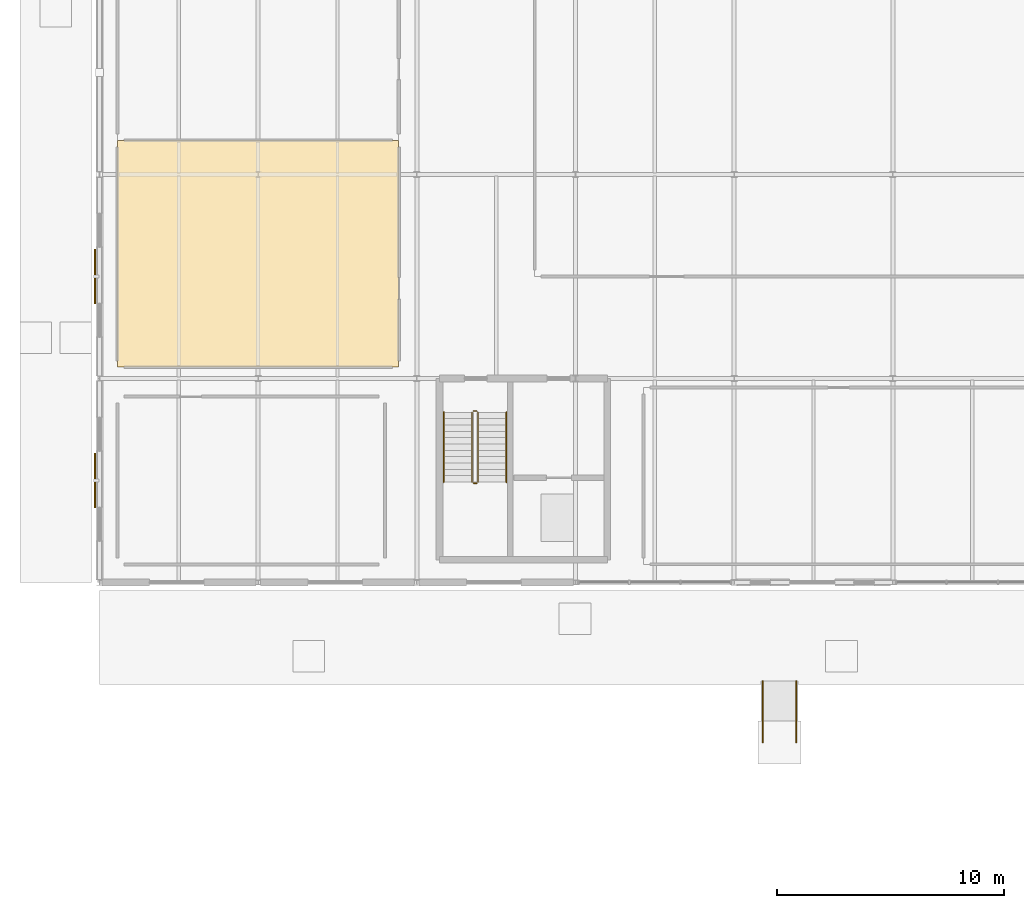
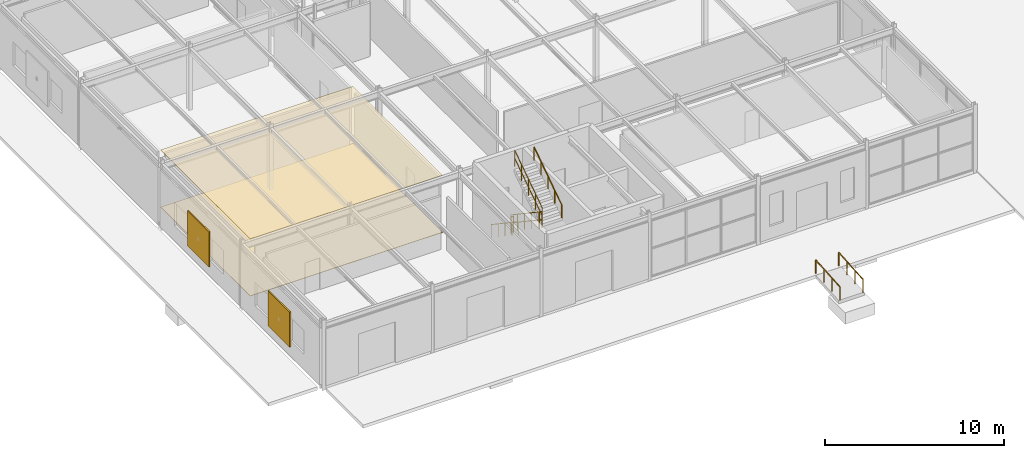
# One storey, part 103 of 119: 8 railings, 2 coverings, 2 shading devices.
"""IFC4 building model written with IfcOpenShell, lengths in metres."""

from ifc_helpers import new_model, si_unit, derived_unit, direction, frame, origin, origin_2d_with_axis, place, context, subcontext, project, spatial, polyline, rectangle, circle, outline, extrude, material, layer, layer_set, type_object, element, save


model = new_model("IFC4")

# Units and contexts
model_context = context("Model", 3, precision=1e-05, world=origin(), true_north=direction((0.0, 1.0)))
body_context = subcontext(model_context, "Body", "Model", "MODEL_VIEW")
ifc_project = project(units=[si_unit("LENGTHUNIT", "METRE"), si_unit("AREAUNIT", "SQUARE_METRE"), si_unit("VOLUMEUNIT", "CUBIC_METRE"), si_unit("PLANEANGLEUNIT", "RADIAN"), si_unit("MASSUNIT", "GRAM", prefix="KILO"), derived_unit("THERMALTRANSMITTANCEUNIT", [(si_unit("POWERUNIT", "WATT"), 1), (si_unit("LENGTHUNIT", "METRE"), -2), (si_unit("THERMODYNAMICTEMPERATUREUNIT", "KELVIN"), -1)])], contexts=[model_context])

# Site, building, storey
site_placement = place(None, origin())
site = spatial("IfcSite", under=ifc_project, at=site_placement, CompositionType="ELEMENT")
building_placement = place(site_placement, origin())
building = spatial("IfcBuilding", under=site, at=building_placement, Name="Cinnabar Yard Market Hall", CompositionType="ELEMENT")
storey_placement = place(building_placement, origin())
storey = spatial("IfcBuildingStorey", under=building, at=storey_placement, Name="L00", CompositionType="ELEMENT", Elevation=0.0)

# Coverings
ifc_material_1 = material(Name="Hygienic washable aluminium kitchen ceiling", Category="aluminium")
ifc_layer_1 = layer(ifc_material_1, 0.030029296875)
ifc_layer_set_1 = layer_set([ifc_layer_1], Name="Hygienic washable aluminium kitchen ceiling")
covering_type_1 = type_object("IfcCoveringType", Name="COV-CLG2", PredefinedType="CEILING", material=ifc_layer_set_1)
covering_1_placement = place(storey_placement, frame((0.0, 0.0, 3.8798828125)))
element("IfcCovering", 1, at=covering_1_placement, inside=storey, type_object=covering_type_1, Name="Ceiling Commercial Kitchen West 01", PredefinedType="CEILING", context=body_context, shape_type="SweptSolid", body=[
    extrude(outline(polyline([(10.800048828125, 57.5), (23.199951171875, 57.5), (23.199951171875, 67.5), (10.800048828125, 67.5), (10.800048828125, 57.5)])), origin(), (0.0, 0.0, 1.0), 0.03515625),
])
ifc_material_2 = material(Name="Slip-resistant commercial quarry tile")
ifc_layer_2 = layer(ifc_material_2, 0.02490234375)
ifc_layer_set_2 = layer_set([ifc_layer_2], Name="Slip-resistant commercial quarry tile")
covering_type_2 = type_object("IfcCoveringType", Name="COV-FLR2", PredefinedType="FLOORING", material=ifc_layer_set_2)
covering_2_placement = place(storey_placement, origin())
element("IfcCovering", 2, at=covering_2_placement, inside=storey, type_object=covering_type_2, Name="Flooring Commercial Kitchen West 01", PredefinedType="FLOORING", context=body_context, shape_type="SweptSolid", body=[
    extrude(outline(polyline([(10.800048828125, 57.5), (23.199951171875, 57.5), (23.199951171875, 67.5), (10.800048828125, 67.5), (10.800048828125, 57.5)])), origin(), (0.0, 0.0, 1.0), 0.02490234375),
])

# Railings
ifc_material_3 = material(Name="Galvanised steel Grade 300 (300 MPa) guardrail", Category="steel")
ifc_layer_3 = layer(ifc_material_3, 0.06005859375)
ifc_layer_set_3 = layer_set([ifc_layer_3], Name="Galvanised steel Grade 300 (300 MPa) guardrail")
railing_type_1 = type_object("IfcRailingType", Name="RL-G03", PredefinedType="GUARDRAIL", material=ifc_layer_set_3)
railing_1_placement = place(storey_placement, frame((26.43994140625, 55.510009765625, 0.1875)))
element("IfcRailing", 3, at=railing_1_placement, inside=storey, type_object=railing_type_1, Name="L00 ST-C4 stair guard 1", PredefinedType="GUARDRAIL", context=body_context, shape_type="SweptSolid", body=[
    extrude(circle(Radius=0.02392578125, at=origin_2d_with_axis()), frame((0.0, 0.0, 1.09619140625), z_axis=(0.0, -0.830913701846, 0.55640131208), x_axis=(1.0, 0.0, 0.0)), (0.0, 0.0, 1.0), 3.706787109375),
    extrude(circle(Radius=0.02392578125, at=origin_2d_with_axis()), frame((0.0, 0.0, 0.550048828125), z_axis=(0.0, -0.830913701846, 0.55640131208), x_axis=(1.0, 0.0, 0.0)), (0.0, 0.0, 1.0), 3.706787109375),
    extrude(circle(Radius=0.02099609375, at=origin_2d_with_axis()), origin(), (0.0, 0.0, 1.0), 1.072021484375),
    extrude(circle(Radius=0.02099609375, at=origin_2d_with_axis()), frame((0.0, -0.77001953125, 0.515625)), (0.0, 0.0, 1.0), 1.072021484375),
    extrude(circle(Radius=0.02099609375, at=origin_2d_with_axis()), frame((0.0, -1.5400390625, 1.03125)), (0.0, 0.0, 1.0), 1.072021484375),
    extrude(circle(Radius=0.02099609375, at=origin_2d_with_axis()), frame((0.0, -2.31005859375, 1.546875)), (0.0, 0.0, 1.0), 1.072021484375),
    extrude(circle(Radius=0.02099609375, at=origin_2d_with_axis()), frame((0.0, -3.080078125, 2.0625)), (0.0, 0.0, 1.0), 1.072021484375),
])
railing_2_placement = place(storey_placement, frame((26.489990234375, 52.3798828125, 2.25)))
element("IfcRailing", 4, at=railing_2_placement, inside=storey, type_object=railing_type_1, Name="L00 ST-C4 stair guard 2", PredefinedType="GUARDRAIL", context=body_context, shape_type="SweptSolid", body=[
    extrude(circle(Radius=0.02392578125, at=origin_2d_with_axis()), frame((0.0, 0.0, 1.09619140625), z_axis=(1.0, 0.0, 0.0), x_axis=(0.0, 1.0, 0.0)), (0.0, 0.0, 1.0), 0.159912109375),
    extrude(circle(Radius=0.02392578125, at=origin_2d_with_axis()), frame((0.0, 0.0, 0.550048828125), z_axis=(1.0, 0.0, 0.0), x_axis=(0.0, 1.0, 0.0)), (0.0, 0.0, 1.0), 0.159912109375),
    extrude(circle(Radius=0.02099609375, at=origin_2d_with_axis()), origin(), (0.0, 0.0, 1.0), 1.072021484375),
    extrude(circle(Radius=0.02099609375, at=origin_2d_with_axis()), frame((0.159912109375, 0.0, 0.0)), (0.0, 0.0, 1.0), 1.072021484375),
])
railing_3_placement = place(storey_placement, frame((26.699951171875, 52.429931640625, 2.4375)))
element("IfcRailing", 5, at=railing_3_placement, inside=storey, type_object=railing_type_1, Name="L00 ST-C4 stair guard 3", PredefinedType="GUARDRAIL", context=body_context, shape_type="SweptSolid", body=[
    extrude(circle(Radius=0.02392578125, at=origin_2d_with_axis()), frame((0.0, 0.0, 1.09619140625), z_axis=(0.0, 0.830913701846, 0.55640131208), x_axis=(-1.0, 0.0, 0.0)), (0.0, 0.0, 1.0), 3.706787109375),
    extrude(circle(Radius=0.02392578125, at=origin_2d_with_axis()), frame((0.0, 0.0, 0.550048828125), z_axis=(0.0, 0.830913701846, 0.55640131208), x_axis=(-1.0, 0.0, 0.0)), (0.0, 0.0, 1.0), 3.706787109375),
    extrude(circle(Radius=0.02099609375, at=origin_2d_with_axis()), origin(), (0.0, 0.0, 1.0), 1.072021484375),
    extrude(circle(Radius=0.02099609375, at=origin_2d_with_axis()), frame((0.0, 0.77001953125, 0.515625)), (0.0, 0.0, 1.0), 1.072021484375),
    extrude(circle(Radius=0.02099609375, at=origin_2d_with_axis()), frame((0.0, 1.5400390625, 1.03125)), (0.0, 0.0, 1.0), 1.072021484375),
    extrude(circle(Radius=0.02099609375, at=origin_2d_with_axis()), frame((0.0, 2.31005859375, 1.546875)), (0.0, 0.0, 1.0), 1.072021484375),
    extrude(circle(Radius=0.02099609375, at=origin_2d_with_axis()), frame((0.0, 3.080078125, 2.0625)), (0.0, 0.0, 1.0), 1.072021484375),
])
railing_4_placement = place(storey_placement, frame((26.489990234375, 55.56005859375, 0.0)))
element("IfcRailing", 6, at=railing_4_placement, inside=storey, type_object=railing_type_1, Name="L00 ST-C4 stair guard 4", PredefinedType="GUARDRAIL", context=body_context, shape_type="SweptSolid", body=[
    extrude(circle(Radius=0.02392578125, at=origin_2d_with_axis()), frame((0.0, 0.0, 1.09619140625), z_axis=(1.0, 0.0, 0.0), x_axis=(0.0, 1.0, 0.0)), (0.0, 0.0, 1.0), 0.159912109375),
    extrude(circle(Radius=0.02392578125, at=origin_2d_with_axis()), frame((0.0, 0.0, 0.550048828125), z_axis=(1.0, 0.0, 0.0), x_axis=(0.0, 1.0, 0.0)), (0.0, 0.0, 1.0), 0.159912109375),
    extrude(circle(Radius=0.02099609375, at=origin_2d_with_axis()), origin(), (0.0, 0.0, 1.0), 1.072021484375),
    extrude(circle(Radius=0.02099609375, at=origin_2d_with_axis()), frame((0.159912109375, 0.0, 0.0)), (0.0, 0.0, 1.0), 1.072021484375),
])
ifc_material_4 = material(Name="Brushed stainless steel handrail", Category="steel")
ifc_layer_4 = layer(ifc_material_4, 0.050048828125)
ifc_layer_set_4 = layer_set([ifc_layer_4], Name="Brushed stainless steel handrail")
railing_type_2 = type_object("IfcRailingType", Name="RL-HR1", PredefinedType="HANDRAIL", material=ifc_layer_set_4)
railing_5_placement = place(storey_placement, frame((25.18994140625, 55.510009765625, 0.1875)))
element("IfcRailing", 7, at=railing_5_placement, inside=storey, type_object=railing_type_2, Name="L00 ST-C4 stair handrail 1", PredefinedType="HANDRAIL", context=body_context, shape_type="SweptSolid", body=[
    extrude(circle(Radius=0.02392578125, at=origin_2d_with_axis()), frame((0.0, 0.0, 0.8759765625), z_axis=(0.0, -0.830913701846, 0.55640131208), x_axis=(1.0, 0.0, 0.0)), (0.0, 0.0, 1.0), 3.706787109375),
    extrude(circle(Radius=0.02099609375, at=origin_2d_with_axis()), origin(), (0.0, 0.0, 1.0), 0.851806640625),
    extrude(circle(Radius=0.02099609375, at=origin_2d_with_axis()), frame((0.0, -0.77001953125, 0.515625)), (0.0, 0.0, 1.0), 0.851806640625),
    extrude(circle(Radius=0.02099609375, at=origin_2d_with_axis()), frame((0.0, -1.5400390625, 1.03125)), (0.0, 0.0, 1.0), 0.851806640625),
    extrude(circle(Radius=0.02099609375, at=origin_2d_with_axis()), frame((0.0, -2.31005859375, 1.546875)), (0.0, 0.0, 1.0), 0.851806640625),
    extrude(circle(Radius=0.02099609375, at=origin_2d_with_axis()), frame((0.0, -3.080078125, 2.0625)), (0.0, 0.0, 1.0), 0.851806640625),
])
railing_6_placement = place(storey_placement, frame((27.949951171875, 52.429931640625, 2.4375)))
element("IfcRailing", 8, at=railing_6_placement, inside=storey, type_object=railing_type_2, Name="L00 ST-C4 stair handrail 2", PredefinedType="HANDRAIL", context=body_context, shape_type="SweptSolid", body=[
    extrude(circle(Radius=0.02392578125, at=origin_2d_with_axis()), frame((0.0, 0.0, 0.8759765625), z_axis=(0.0, 0.830913701846, 0.55640131208), x_axis=(-1.0, 0.0, 0.0)), (0.0, 0.0, 1.0), 3.706787109375),
    extrude(circle(Radius=0.02099609375, at=origin_2d_with_axis()), origin(), (0.0, 0.0, 1.0), 0.851806640625),
    extrude(circle(Radius=0.02099609375, at=origin_2d_with_axis()), frame((0.0, 0.77001953125, 0.515625)), (0.0, 0.0, 1.0), 0.851806640625),
    extrude(circle(Radius=0.02099609375, at=origin_2d_with_axis()), frame((0.0, 1.5400390625, 1.03125)), (0.0, 0.0, 1.0), 0.851806640625),
    extrude(circle(Radius=0.02099609375, at=origin_2d_with_axis()), frame((0.0, 2.31005859375, 1.546875)), (0.0, 0.0, 1.0), 0.851806640625),
    extrude(circle(Radius=0.02099609375, at=origin_2d_with_axis()), frame((0.0, 3.080078125, 2.0625)), (0.0, 0.0, 1.0), 0.851806640625),
])
ifc_material_5 = material(Name="Brushed stainless steel exterior handrail", Category="steel")
ifc_layer_5 = layer(ifc_material_5, 0.050048828125)
ifc_layer_set_5 = layer_set([ifc_layer_5], Name="Brushed stainless steel exterior handrail")
railing_type_3 = type_object("IfcRailingType", Name="RL-HRE", PredefinedType="HANDRAIL", material=ifc_layer_set_5)
for number, where, name in (
    (9, (39.257568359375, 40.949951171875, -0.179931640625), "Food Court Step-Free Ramp Handrail L"),
    (10, (40.742431640625, 40.949951171875, -0.179931640625), "Food Court Step-Free Ramp Handrail R"),
):
    element("IfcRailing", number, at=place(storey_placement, frame(where)), inside=storey, type_object=railing_type_3, Name=name, PredefinedType="HANDRAIL", context=body_context, shape_type="SweptSolid", body=[
        extrude(circle(Radius=0.02392578125, at=origin_2d_with_axis()), frame((0.0, 0.0, 0.89599609375), z_axis=(0.0, 0.997786754453, 0.066495057241), x_axis=(-1.0, 0.0, 0.0)), (0.0, 0.0, 1.0), 2.7060546875),
        extrude(circle(Radius=0.02099609375, at=origin_2d_with_axis()), origin(), (0.0, 0.0, 1.0), 0.871826171875),
        extrude(circle(Radius=0.02099609375, at=origin_2d_with_axis()), frame((0.0, 0.89990234375, 0.06005859375)), (0.0, 0.0, 1.0), 0.871826171875),
        extrude(circle(Radius=0.02099609375, at=origin_2d_with_axis()), frame((0.0, 1.800048828125, 0.119873046875)), (0.0, 0.0, 1.0), 0.871826171875),
        extrude(circle(Radius=0.02099609375, at=origin_2d_with_axis()), frame((0.0, 2.699951171875, 0.179931640625)), (0.0, 0.0, 1.0), 0.871826171875),
    ])

# Shading devices
ifc_material_6 = material(Name="Perforated red-anodised aluminium jali screen", Category="aluminium")
shading_device_type = type_object("IfcShadingDeviceType", Name="SHD-JALI2", PredefinedType="JALOUSIE", material=ifc_material_6)
for number, where, z_axis, x_axis, name in (
    (11, (9.800048828125, 52.5, 0.650146484375), (0.0, 0.0, 1.0), (1.0, 0.0, 0.0), "Pavilion West Jali Screen L00-1"),
    (12, (9.800048828125, 61.5, 0.650146484375), (0.0, 0.0, 1.0), (1.0, 0.0, 0.0), "Pavilion West Jali Screen L00-2"),
):
    element("IfcShadingDevice", number, at=place(storey_placement, frame(where, z_axis=z_axis, x_axis=x_axis)), inside=storey, type_object=shading_device_type, Name=name, PredefinedType="JALOUSIE", context=body_context, shape_type="SweptSolid", body=[
        extrude(rectangle(XDim=0.080078125, YDim=2.39990234375, at=origin_2d_with_axis()), origin(), (0.0, 0.0, 1.0), 2.39990234375),
    ])

save(model, "model.ifc")
